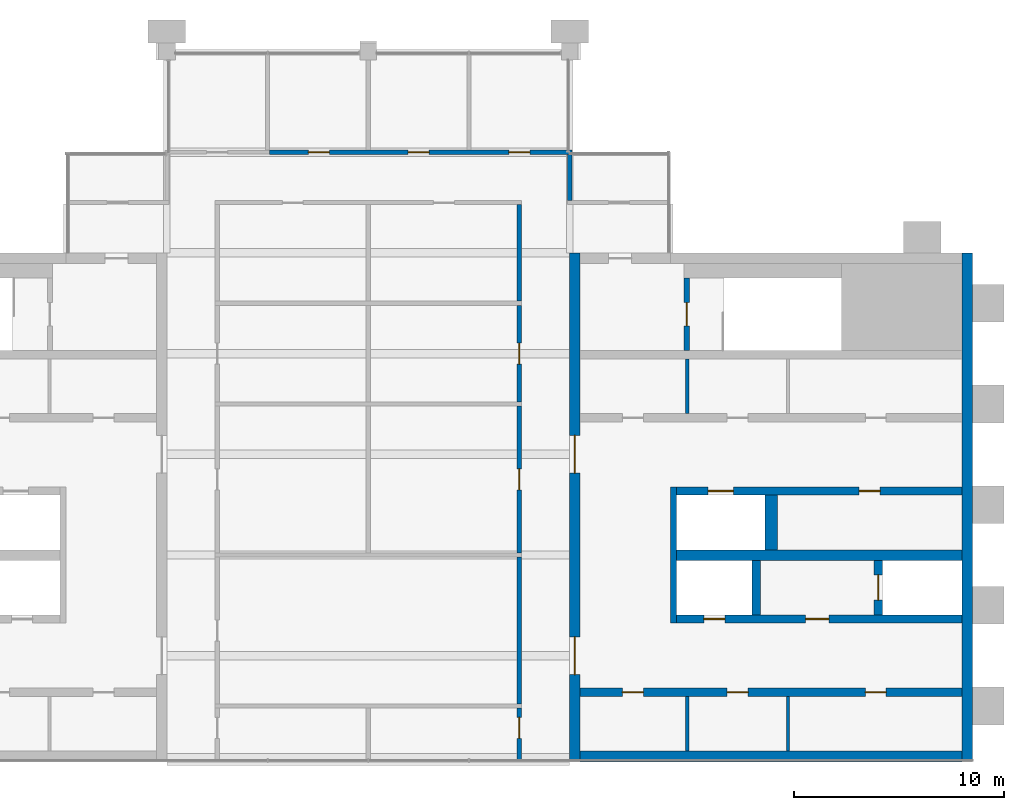
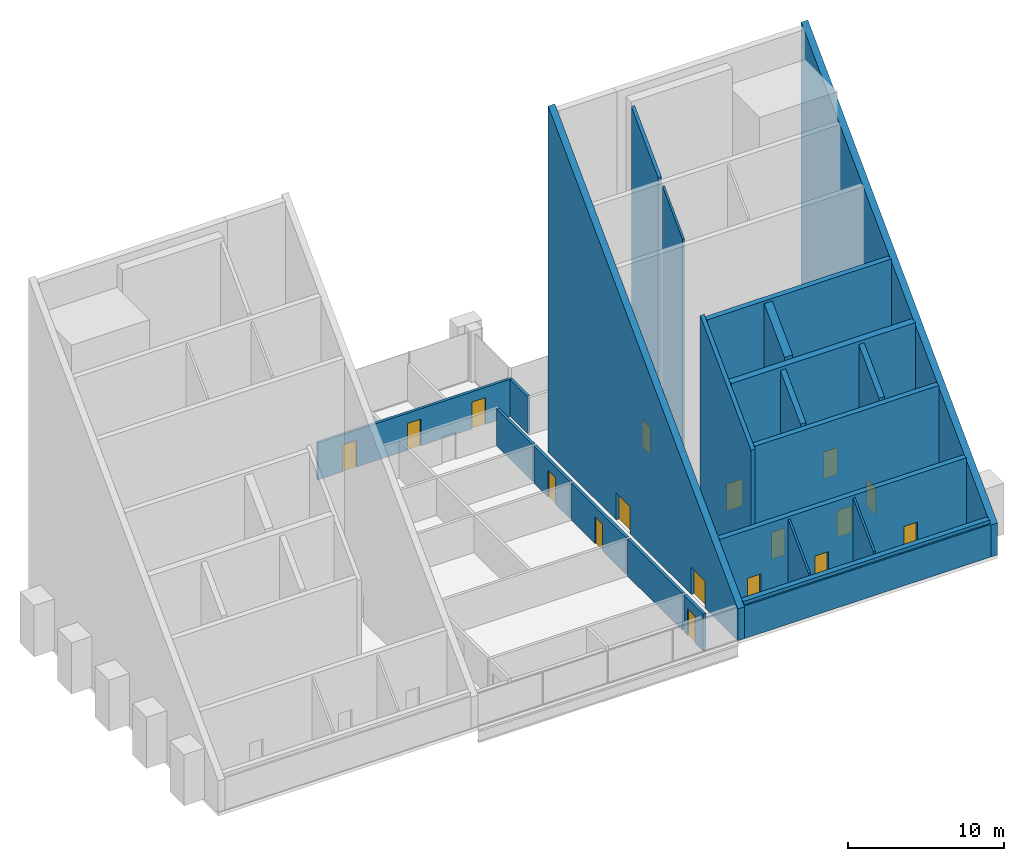
# One storey, part 10 of 12: 23 walls, 17 doors, 17 openings.
"""IFC4 building model written with IfcOpenShell, lengths in metres."""

from ifc_helpers import new_model, si_unit, direction, frame, frame_2d, origin, place, context, subcontext, project, spatial, polyline, rectangle, outline, extrude, material, layer, layer_set, type_object, element, fill, save


model = new_model("IFC4")

# Units and contexts
model_context = context("Model", 3, precision=1e-05, world=origin(), true_north=direction((0.0, 1.0)))
body_context = subcontext(model_context, "Body", "Model", "MODEL_VIEW")
ifc_project = project(units=[si_unit("LENGTHUNIT", "METRE"), si_unit("AREAUNIT", "SQUARE_METRE"), si_unit("VOLUMEUNIT", "CUBIC_METRE"), si_unit("PLANEANGLEUNIT", "RADIAN"), si_unit("MASSUNIT", "GRAM", prefix="KILO")], contexts=[model_context])

# Site, building, storey
site_placement = place(None, origin())
site = spatial("IfcSite", under=ifc_project, at=site_placement, CompositionType="ELEMENT")
building_placement = place(site_placement, origin())
building = spatial("IfcBuilding", under=site, at=building_placement, Name="Baori Bourse Tower", CompositionType="ELEMENT")
storey_placement = place(building_placement, frame((0.0, 0.0, 374.300048828125)))
storey = spatial("IfcBuildingStorey", under=building, at=storey_placement, Name="L84", CompositionType="ELEMENT", Elevation=374.300048828125)

# Walls
ifc_material_1 = material(Name="Blockwork partition", Category="masonry")
ifc_layer_1 = layer(ifc_material_1, 0.14990234375)
ifc_layer_set_1 = layer_set([ifc_layer_1], Name="Core partition 150")
wall_type_1 = type_object("IfcWallType", Name="Core partition 150", PredefinedType="PARTITIONING", material=ifc_layer_set_1)
for number, where, z_axis, x_axis, name in (
    (1, (48.800048828125, 14.64990234375, 0.0), (0.0, 0.0, 1.0), (0.0, 1.0, 0.0), "Partition wall E05"),
    (2, (44.0, 14.64990234375, 0.0), (0.0, 0.0, 1.0), (0.0, 1.0, 0.0), "Partition wall E06"),
):
    element("IfcWall", number, at=place(storey_placement, frame(where, z_axis=z_axis, x_axis=x_axis)), inside=storey, type_object=wall_type_1, Name=name, PredefinedType="PARTITIONING", context=body_context, shape_type="SweptSolid", body=[
        extrude(outline(polyline([(0.0, 0.0), (2.60009765625, 0.0), (2.60009765625, 5.653076171875), (0.0, 3.0205078125), (0.0, 0.0)])), frame((0.0, 0.074951171875, 0.0), z_axis=(0.0, -1.0, 0.0), x_axis=(1.0, 0.0, 0.0)), (0.0, 0.0, 1.0), 0.14990234375),
    ])
wall_1_placement = place(storey_placement, frame((44.0, 30.75, 0.0), z_axis=(0.0, 0.0, 1.0), x_axis=(0.0, 1.0, 0.0)))
element("IfcWall", 3, at=wall_1_placement, inside=storey, type_object=wall_type_1, Name="Partition wall E17", PredefinedType="PARTITIONING", context=body_context, shape_type="SweptSolid", body=[
    extrude(outline(polyline([(0.0, 0.0), (2.60009765625, 0.0), (2.60009765625, 21.954345703125), (0.0, 19.32177734375), (0.0, 0.0)])), frame((0.0, 0.074951171875, 0.0), z_axis=(0.0, -1.0, 0.0), x_axis=(1.0, 0.0, 0.0)), (0.0, 0.0, 1.0), 0.14990234375),
])
ifc_material_2 = material(Name="Concrete f'c 40 MPa", Category="concrete")
ifc_layer_2 = layer(ifc_material_2, 0.126953125)
ifc_layer_set_2 = layer_set([ifc_layer_2], Name="Core wall 127 f'c 40")
wall_type_2 = type_object("IfcWallType", Name="Core wall 127 f'c 40", PredefinedType="SHEAR", material=ifc_layer_set_2)
wall_2_placement = place(storey_placement, frame((57.10009765625, 14.186767578125, 0.0), z_axis=(0.0, 0.0, 1.0), x_axis=(-1.0, 0.0, 0.0)))
element("IfcWall", 4, at=wall_2_placement, inside=storey, type_object=wall_type_2, Name="Core wall E02", PredefinedType="SHEAR", context=body_context, shape_type="SweptSolid", body=[
    extrude(outline(polyline([(0.0, 0.0), (18.2001953125, 0.0), (18.199951171875, 2.551513671875), (0.0, 2.551513671875), (0.0, 0.0)])), frame((0.0, 0.063232421875, 0.0), z_axis=(0.0, -1.0, 0.0), x_axis=(1.0, 0.0, 0.0)), (0.0, 0.0, 1.0), 0.12646484375),
])
ifc_material_3 = material(Name="Concrete f'c 40 MPa", Category="concrete")
ifc_layer_3 = layer(ifc_material_3, 0.5)
ifc_layer_set_3 = layer_set([ifc_layer_3], Name="Core wall 500 f'c 40")
wall_type_3 = type_object("IfcWallType", Name="Core wall 500 f'c 40", PredefinedType="SHEAR", material=ifc_layer_set_3)
wall_3_placement = place(storey_placement, frame((57.35009765625, 38.39990234375, 0.0), z_axis=(0.0, 0.0, 1.0), x_axis=(0.0, -1.0, 0.0)))
element("IfcWall", 5, at=wall_3_placement, inside=storey, type_object=wall_type_3, Name="Core wall E01", PredefinedType="SHEAR", context=body_context, shape_type="SweptSolid", body=[
    extrude(outline(polyline([(0.0, 0.0), (24.2763671875, 0.0), (24.276611328125, 2.487548828125), (0.0, 27.0673828125), (0.0, 0.0)])), frame((0.0, 0.25, 0.0), z_axis=(0.0, -1.0, 0.0), x_axis=(1.0, 0.0, 0.0)), (0.0, 0.0, 1.0), 0.5),
])

# Wall, openings, doors
wall_4_placement = place(storey_placement, frame((38.64990234375, 14.12353515625, 0.0), z_axis=(0.0, 0.0, 1.0), x_axis=(0.0, 1.0, 0.0)))
wall_4 = element("IfcWall", 6, at=wall_4_placement, inside=storey, type_object=wall_type_3, Name="Core wall E03", PredefinedType="SHEAR", context=body_context, shape_type="SweptSolid", body=[
    extrude(outline(polyline([(0.0, 0.0), (24.2763671875, 0.0), (24.276611328125, 27.0673828125), (0.0, 2.487548828125), (0.0, 0.0)])), frame((0.0, 0.25, 0.0), z_axis=(0.0, -1.0, 0.0), x_axis=(1.0, 0.0, 0.0)), (0.0, 0.0, 1.0), 0.5),
])
opening_1_placement = place(wall_4_placement, frame((4.176513671875, 0.0, 0.0)))
opening_1 = element("IfcOpeningElement", 7, at=opening_1_placement, cuts=wall_4, Name="Opening L84-D205", PredefinedType="OPENING", context=body_context, shape_type="SweptSolid", body=[
    extrude(rectangle(XDim=1.800048828125, YDim=2.10009765625, at=frame_2d((0.89990234375, 1.050048828125))), frame((0.0, 0.260009765625, 0.0), z_axis=(0.0, -1.0, 0.0), x_axis=(1.0, 0.0, 0.0)), (0.0, 0.0, 1.0), 0.52001953125),
])
opening_2_placement = place(wall_4_placement, frame((13.776611328125, 0.0, 0.0)))
opening_2 = element("IfcOpeningElement", 8, at=opening_2_placement, cuts=wall_4, Name="Opening L84-D206", PredefinedType="OPENING", context=body_context, shape_type="SweptSolid", body=[
    extrude(rectangle(XDim=1.800048828125, YDim=2.10009765625, at=frame_2d((0.89990234375, 1.050048828125))), frame((0.0, 0.260009765625, 0.0), z_axis=(0.0, -1.0, 0.0), x_axis=(1.0, 0.0, 0.0)), (0.0, 0.0, 1.0), 0.52001953125),
])
ifc_material_4 = material(Name="Painted steel door", Category="steel")
door_type_1 = type_object("IfcDoorType", Name="Core lobby door 1800", OperationType="DOUBLE_DOOR_SINGLE_SWING", PredefinedType="DOOR", material=ifc_material_4)
door_1_placement = place(opening_1_placement, origin())
door_1 = element("IfcDoor", 9, at=door_1_placement, inside=storey, type_object=door_type_1, Name="Lobby door E L84", OperationType="DOUBLE_DOOR_SINGLE_SWING", OverallHeight=2.10009765625, OverallWidth=1.800048828125, PredefinedType="DOOR", context=body_context, shape_type="SweptSolid", body=[
    extrude(rectangle(XDim=1.800048828125, YDim=2.10009765625, at=frame_2d((0.89990234375, 1.050048828125))), frame((0.0, 0.02490234375, 0.0), z_axis=(0.0, -1.0, 0.0), x_axis=(1.0, 0.0, 0.0)), (0.0, 0.0, 1.0), 0.050048828125),
])
fill(opening_1, door_1)
door_2_placement = place(opening_2_placement, origin())
door_2 = element("IfcDoor", 10, at=door_2_placement, inside=storey, type_object=door_type_1, Name="Lobby door E L84", OperationType="DOUBLE_DOOR_SINGLE_SWING", OverallHeight=2.10009765625, OverallWidth=1.800048828125, PredefinedType="DOOR", context=body_context, shape_type="SweptSolid", body=[
    extrude(rectangle(XDim=1.800048828125, YDim=2.10009765625, at=frame_2d((0.89990234375, 1.050048828125))), frame((0.0, 0.02490234375, 0.0), z_axis=(0.0, -1.0, 0.0), x_axis=(1.0, 0.0, 0.0)), (0.0, 0.0, 1.0), 0.050048828125),
])
fill(opening_2, door_2)

ifc_material_5 = material(Name="Gypsum board partition")
ifc_layer_4 = layer(ifc_material_5, 0.199951171875)
ifc_layer_set_4 = layer_set([ifc_layer_4], Name="Plant room wall 200")
wall_type_4 = type_object("IfcWallType", Name="Plant room wall 200", PredefinedType="PARTITIONING", material=ifc_layer_set_4)
wall_5_placement = place(storey_placement, frame((24.10009765625, 43.199951171875, 0.0), z_axis=(0.0, 0.0, 1.0), x_axis=(1.0, 0.0, 0.0)))
wall_5 = element("IfcWall", 11, at=wall_5_placement, inside=storey, type_object=wall_type_4, Name="Partition", PredefinedType="PARTITIONING", context=body_context, shape_type="SweptSolid", body=[
    extrude(rectangle(XDim=14.39990234375, YDim=0.199951171875, at=frame_2d((7.199951171875, 0.0))), origin(), (0.0, 0.0, 1.0), 2.89990234375),
])
opening_3_placement = place(wall_5_placement, frame((1.85009765625, 0.0, 0.0)))
opening_3 = element("IfcOpeningElement", 12, at=opening_3_placement, cuts=wall_5, Name="Opening L84-D06", PredefinedType="OPENING", context=body_context, shape_type="SweptSolid", body=[
    extrude(rectangle(XDim=1.0, YDim=2.10009765625, at=frame_2d((0.5, 1.050048828125))), frame((0.0, 0.10986328125, 0.0), z_axis=(0.0, -1.0, 0.0), x_axis=(1.0, 0.0, 0.0)), (0.0, 0.0, 1.0), 0.219970703125),
])
opening_4_placement = place(wall_5_placement, frame((6.60009765625, 0.0, 0.0)))
opening_4 = element("IfcOpeningElement", 13, at=opening_4_placement, cuts=wall_5, Name="Opening L84-D07", PredefinedType="OPENING", context=body_context, shape_type="SweptSolid", body=[
    extrude(rectangle(XDim=1.0, YDim=2.10009765625, at=frame_2d((0.5, 1.050048828125))), frame((0.0, 0.10986328125, 0.0), z_axis=(0.0, -1.0, 0.0), x_axis=(1.0, 0.0, 0.0)), (0.0, 0.0, 1.0), 0.219970703125),
])
opening_5_placement = place(wall_5_placement, frame((11.39990234375, 0.0, 0.0)))
opening_5 = element("IfcOpeningElement", 14, at=opening_5_placement, cuts=wall_5, Name="Opening L84-D08", PredefinedType="OPENING", context=body_context, shape_type="SweptSolid", body=[
    extrude(rectangle(XDim=1.0, YDim=2.10009765625, at=frame_2d((0.5, 1.050048828125))), frame((0.0, 0.10986328125, 0.0), z_axis=(0.0, -1.0, 0.0), x_axis=(1.0, 0.0, 0.0)), (0.0, 0.0, 1.0), 0.219970703125),
])
ifc_material_6 = material(Name="Timber door leaf", Category="wood")
door_type_2 = type_object("IfcDoorType", Name="Door 1000 x 2100", OperationType="SINGLE_SWING_LEFT", PredefinedType="DOOR", material=ifc_material_6)
door_3_placement = place(opening_3_placement, origin())
door_3 = element("IfcDoor", 15, at=door_3_placement, inside=storey, type_object=door_type_2, Name="Door", OperationType="SINGLE_SWING_RIGHT", OverallHeight=2.10009765625, OverallWidth=1.0, PredefinedType="DOOR", context=body_context, shape_type="SweptSolid", body=[
    extrude(rectangle(XDim=1.0, YDim=2.10009765625, at=frame_2d((0.5, 1.050048828125))), frame((0.0, 0.02490234375, 0.0), z_axis=(0.0, -1.0, 0.0), x_axis=(1.0, 0.0, 0.0)), (0.0, 0.0, 1.0), 0.050048828125),
])
fill(opening_3, door_3)
door_4_placement = place(opening_4_placement, origin())
door_4 = element("IfcDoor", 16, at=door_4_placement, inside=storey, type_object=door_type_2, Name="Door", OperationType="SINGLE_SWING_RIGHT", OverallHeight=2.10009765625, OverallWidth=1.0, PredefinedType="DOOR", context=body_context, shape_type="SweptSolid", body=[
    extrude(rectangle(XDim=1.0, YDim=2.10009765625, at=frame_2d((0.5, 1.050048828125))), frame((0.0, 0.02490234375, 0.0), z_axis=(0.0, -1.0, 0.0), x_axis=(1.0, 0.0, 0.0)), (0.0, 0.0, 1.0), 0.050048828125),
])
fill(opening_4, door_4)
door_5_placement = place(opening_5_placement, origin())
door_5 = element("IfcDoor", 17, at=door_5_placement, inside=storey, type_object=door_type_2, Name="Door", OperationType="SINGLE_SWING_LEFT", OverallHeight=2.10009765625, OverallWidth=1.0, PredefinedType="DOOR", context=body_context, shape_type="SweptSolid", body=[
    extrude(rectangle(XDim=1.0, YDim=2.10009765625, at=frame_2d((0.5, 1.050048828125))), frame((0.0, 0.02490234375, 0.0), z_axis=(0.0, -1.0, 0.0), x_axis=(1.0, 0.0, 0.0)), (0.0, 0.0, 1.0), 0.050048828125),
])
fill(opening_5, door_5)

# Wall, opening, door
wall_6_placement = place(storey_placement, frame((36.0, 14.223388671875, 0.0), z_axis=(0.0, 0.0, 1.0), x_axis=(0.0, 1.0, 0.0)))
wall_6 = element("IfcWall", 18, at=wall_6_placement, inside=storey, type_object=wall_type_4, Name="Partition", PredefinedType="PARTITIONING", context=body_context, shape_type="SweptSolid", body=[
    extrude(rectangle(XDim=2.4765625, YDim=0.199951171875, at=frame_2d((1.23828125, 0.0))), origin(), (0.0, 0.0, 1.0), 2.89990234375),
])
opening_6_placement = place(wall_6_placement, frame((1.038330078125, 0.0, 0.0)))
opening_6 = element("IfcOpeningElement", 19, at=opening_6_placement, cuts=wall_6, Name="Opening L84-D13", PredefinedType="OPENING", context=body_context, shape_type="SweptSolid", body=[
    extrude(rectangle(XDim=1.0, YDim=2.10009765625, at=frame_2d((0.5, 1.050048828125))), frame((0.0, 0.10986328125, 0.0), z_axis=(0.0, -1.0, 0.0), x_axis=(1.0, 0.0, 0.0)), (0.0, 0.0, 1.0), 0.219970703125),
])
door_6_placement = place(opening_6_placement, origin())
door_6 = element("IfcDoor", 20, at=door_6_placement, inside=storey, type_object=door_type_2, Name="Door", OperationType="SINGLE_SWING_LEFT", OverallHeight=2.10009765625, OverallWidth=1.0, PredefinedType="DOOR", context=body_context, shape_type="SweptSolid", body=[
    extrude(rectangle(XDim=1.0, YDim=2.10009765625, at=frame_2d((0.5, 1.050048828125))), frame((0.0, 0.02490234375, 0.0), z_axis=(0.0, -1.0, 0.0), x_axis=(1.0, 0.0, 0.0)), (0.0, 0.0, 1.0), 0.050048828125),
])
fill(opening_6, door_6)

# Wall
wall_7_placement = place(storey_placement, frame((36.0, 16.89990234375, 0.0), z_axis=(0.0, 0.0, 1.0), x_axis=(0.0, 1.0, 0.0)))
element("IfcWall", 21, at=wall_7_placement, inside=storey, type_object=wall_type_4, Name="Partition", PredefinedType="PARTITIONING", context=body_context, shape_type="SweptSolid", body=[
    extrude(rectangle(XDim=7.0, YDim=0.199951171875, at=frame_2d((3.5, 0.0))), origin(), (0.0, 0.0, 1.0), 2.89990234375),
])

# Wall, opening, door
wall_8_placement = place(storey_placement, frame((36.0, 24.10009765625, 0.0), z_axis=(0.0, 0.0, 1.0), x_axis=(0.0, 1.0, 0.0)))
wall_8 = element("IfcWall", 22, at=wall_8_placement, inside=storey, type_object=wall_type_4, Name="Partition", PredefinedType="PARTITIONING", context=body_context, shape_type="SweptSolid", body=[
    extrude(rectangle(XDim=7.0, YDim=0.199951171875, at=frame_2d((3.5, 0.0))), origin(), (0.0, 0.0, 1.0), 2.89990234375),
])
opening_7_placement = place(wall_8_placement, frame((3.0, 0.0, 0.0)))
opening_7 = element("IfcOpeningElement", 23, at=opening_7_placement, cuts=wall_8, Name="Opening L84-D14", PredefinedType="OPENING", context=body_context, shape_type="SweptSolid", body=[
    extrude(rectangle(XDim=1.0, YDim=2.10009765625, at=frame_2d((0.5, 1.050048828125))), frame((0.0, 0.10986328125, 0.0), z_axis=(0.0, -1.0, 0.0), x_axis=(1.0, 0.0, 0.0)), (0.0, 0.0, 1.0), 0.219970703125),
])
door_7_placement = place(opening_7_placement, origin())
door_7 = element("IfcDoor", 24, at=door_7_placement, inside=storey, type_object=door_type_2, Name="Door", OperationType="SINGLE_SWING_RIGHT", OverallHeight=2.10009765625, OverallWidth=1.0, PredefinedType="DOOR", context=body_context, shape_type="SweptSolid", body=[
    extrude(rectangle(XDim=1.0, YDim=2.10009765625, at=frame_2d((0.5, 1.050048828125))), frame((0.0, 0.02490234375, 0.0), z_axis=(0.0, -1.0, 0.0), x_axis=(1.0, 0.0, 0.0)), (0.0, 0.0, 1.0), 0.050048828125),
])
fill(opening_7, door_7)

wall_9_placement = place(storey_placement, frame((36.0, 31.300048828125, 0.0), z_axis=(0.0, 0.0, 1.0), x_axis=(0.0, 1.0, 0.0)))
wall_9 = element("IfcWall", 25, at=wall_9_placement, inside=storey, type_object=wall_type_4, Name="Partition", PredefinedType="PARTITIONING", context=body_context, shape_type="SweptSolid", body=[
    extrude(rectangle(XDim=4.599853515625, YDim=0.199951171875, at=frame_2d((2.2998046875, 0.0))), origin(), (0.0, 0.0, 1.0), 2.89990234375),
])
opening_8_placement = place(wall_9_placement, frame((1.800048828125, 0.0, 0.0)))
opening_8 = element("IfcOpeningElement", 26, at=opening_8_placement, cuts=wall_9, Name="Opening L84-D15", PredefinedType="OPENING", context=body_context, shape_type="SweptSolid", body=[
    extrude(rectangle(XDim=1.0, YDim=2.10009765625, at=frame_2d((0.5, 1.050048828125))), frame((0.0, 0.10986328125, 0.0), z_axis=(0.0, -1.0, 0.0), x_axis=(1.0, 0.0, 0.0)), (0.0, 0.0, 1.0), 0.219970703125),
])
door_8_placement = place(opening_8_placement, origin())
door_8 = element("IfcDoor", 27, at=door_8_placement, inside=storey, type_object=door_type_2, Name="Door", OperationType="SINGLE_SWING_LEFT", OverallHeight=2.10009765625, OverallWidth=1.0, PredefinedType="DOOR", context=body_context, shape_type="SweptSolid", body=[
    extrude(rectangle(XDim=1.0, YDim=2.10009765625, at=frame_2d((0.5, 1.050048828125))), frame((0.0, 0.02490234375, 0.0), z_axis=(0.0, -1.0, 0.0), x_axis=(1.0, 0.0, 0.0)), (0.0, 0.0, 1.0), 0.050048828125),
])
fill(opening_8, door_8)

# Walls
wall_10_placement = place(storey_placement, frame((36.0, 36.10009765625, 0.0), z_axis=(0.0, 0.0, 1.0), x_axis=(0.0, 1.0, 0.0)))
element("IfcWall", 28, at=wall_10_placement, inside=storey, type_object=wall_type_4, Name="Partition", PredefinedType="PARTITIONING", context=body_context, shape_type="SweptSolid", body=[
    extrude(rectangle(XDim=4.599853515625, YDim=0.199951171875, at=frame_2d((2.2998046875, 0.0))), origin(), (0.0, 0.0, 1.0), 2.89990234375),
])
wall_11_placement = place(storey_placement, frame((38.39990234375, 40.89990234375, 0.0), z_axis=(0.0, 0.0, 1.0), x_axis=(0.0, 1.0, 0.0)))
element("IfcWall", 29, at=wall_11_placement, inside=storey, type_object=wall_type_4, Name="Partition", PredefinedType="PARTITIONING", context=body_context, shape_type="SweptSolid", body=[
    extrude(rectangle(XDim=2.2001953125, YDim=0.199951171875, at=frame_2d((1.10009765625, 0.0))), origin(), (0.0, 0.0, 1.0), 2.89990234375),
])

# Wall, opening, door
ifc_material_7 = material(Name="Concrete f'c 40 MPa", Category="concrete")
ifc_layer_5 = layer(ifc_material_7, 0.25)
ifc_layer_set_5 = layer_set([ifc_layer_5], Name="Shaft wall 250 f'c 40")
wall_type_5 = type_object("IfcWallType", Name="Shaft wall 250 f'c 40", PredefinedType="SHEAR", material=ifc_layer_set_5)
wall_12_placement = place(storey_placement, frame((43.97509765625, 33.75, 0.0), z_axis=(0.0, 0.0, 1.0), x_axis=(0.0, 1.0, 0.0)))
wall_12 = element("IfcWall", 30, at=wall_12_placement, inside=storey, type_object=wall_type_5, Name="Core wall E20", PredefinedType="SHEAR", context=body_context, shape_type="SweptSolid", body=[
    extrude(outline(polyline([(0.0, 0.0), (3.449951171875, 0.0), (3.449951171875, 25.8525390625), (0.0, 22.359375), (0.0, 0.0)])), frame((0.0, 0.125, 0.0), z_axis=(0.0, -1.0, 0.0), x_axis=(1.0, 0.0, 0.0)), (0.0, 0.0, 1.0), 0.25),
])
opening_9_placement = place(wall_12_placement, frame((1.175048828125, 0.0, 0.0)))
opening_9 = element("IfcOpeningElement", 31, at=opening_9_placement, cuts=wall_12, Name="Opening L84-D201", PredefinedType="OPENING", context=body_context, shape_type="SweptSolid", body=[
    extrude(rectangle(XDim=1.10009765625, YDim=2.10009765625, at=frame_2d((0.550048828125, 1.050048828125))), frame((0.0, 0.135009765625, 0.0), z_axis=(0.0, -1.0, 0.0), x_axis=(1.0, 0.0, 0.0)), (0.0, 0.0, 1.0), 0.27001953125),
])
ifc_material_8 = material(Name="Painted steel door", Category="steel")
door_type_3 = type_object("IfcDoorType", Name="Stair door 1100", OperationType="SINGLE_SWING_LEFT", PredefinedType="DOOR", material=ifc_material_8)
door_9_placement = place(opening_9_placement, origin())
door_9 = element("IfcDoor", 32, at=door_9_placement, inside=storey, type_object=door_type_3, Name="Stair door B E L84", OperationType="SINGLE_SWING_LEFT", OverallHeight=2.10009765625, OverallWidth=1.10009765625, PredefinedType="DOOR", context=body_context, shape_type="SweptSolid", body=[
    extrude(rectangle(XDim=1.10009765625, YDim=2.10009765625, at=frame_2d((0.550048828125, 1.050048828125))), frame((0.0, 0.02490234375, 0.0), z_axis=(0.0, -1.0, 0.0), x_axis=(1.0, 0.0, 0.0)), (0.0, 0.0, 1.0), 0.050048828125),
])
fill(opening_9, door_9)

# Walls
ifc_material_9 = material(Name="Concrete f'c 40 MPa", Category="concrete")
ifc_layer_6 = layer(ifc_material_9, 0.300048828125)
ifc_layer_set_6 = layer_set([ifc_layer_6], Name="Shaft wall 300 f'c 40")
wall_type_6 = type_object("IfcWallType", Name="Shaft wall 300 f'c 40", PredefinedType="SHEAR", material=ifc_layer_set_6)
wall_13_placement = place(storey_placement, frame((43.35009765625, 20.75, 0.0), z_axis=(0.0, 0.0, 1.0), x_axis=(0.0, 1.0, 0.0)))
element("IfcWall", 33, at=wall_13_placement, inside=storey, type_object=wall_type_6, Name="Core wall E09", PredefinedType="SHEAR", context=body_context, shape_type="SweptSolid", body=[
    extrude(outline(polyline([(0.0, 0.0), (6.5, 0.0), (6.5, 15.778076171875), (0.0, 9.19677734375), (0.0, 0.0)])), frame((0.0, 0.14990234375, 0.0), z_axis=(0.0, -1.0, 0.0), x_axis=(1.0, 0.0, 0.0)), (0.0, 0.0, 1.0), 0.300048828125),
])
ifc_material_10 = material(Name="Concrete f'c 40 MPa", Category="concrete")
ifc_layer_7 = layer(ifc_material_10, 0.39990234375)
ifc_layer_set_7 = layer_set([ifc_layer_7], Name="Shaft wall 400 f'c 40")
wall_type_7 = type_object("IfcWallType", Name="Shaft wall 400 f'c 40", PredefinedType="SHEAR", material=ifc_layer_set_7)
wall_14_placement = place(storey_placement, frame((38.89990234375, 14.449951171875, 0.0), z_axis=(0.0, 0.0, 1.0), x_axis=(1.0, 0.0, 0.0)))
element("IfcWall", 34, at=wall_14_placement, inside=storey, type_object=wall_type_7, Name="Core wall E04", PredefinedType="SHEAR", context=body_context, shape_type="SweptSolid", body=[
    extrude(outline(polyline([(0.0, 0.0), (18.2001953125, 0.0), (18.199951171875, 2.818115234375), (0.0, 2.818115234375), (0.0, 0.0)])), frame((0.0, 0.199951171875, 0.0), z_axis=(0.0, -1.0, 0.0), x_axis=(1.0, 0.0, 0.0)), (0.0, 0.0, 1.0), 0.39990234375),
])

# Wall, openings, doors
wall_15_placement = place(storey_placement, frame((38.89990234375, 17.449951171875, 0.0), z_axis=(0.0, 0.0, 1.0), x_axis=(1.0, 0.0, 0.0)))
wall_15 = element("IfcWall", 35, at=wall_15_placement, inside=storey, type_object=wall_type_7, Name="Core wall E07", PredefinedType="SHEAR", context=body_context, shape_type="SweptSolid", body=[
    extrude(outline(polyline([(0.0, 0.0), (18.2001953125, 0.0), (18.199951171875, 5.85546875), (0.0, 5.85546875), (0.0, 0.0)])), frame((0.0, 0.199951171875, 0.0), z_axis=(0.0, -1.0, 0.0), x_axis=(1.0, 0.0, 0.0)), (0.0, 0.0, 1.0), 0.39990234375),
])
opening_10_placement = place(wall_15_placement, frame((13.58740234375, 0.0, 0.0)))
opening_10 = element("IfcOpeningElement", 36, at=opening_10_placement, cuts=wall_15, Name="Opening L84-D210", PredefinedType="OPENING", context=body_context, shape_type="SweptSolid", body=[
    extrude(rectangle(XDim=1.0, YDim=2.10009765625, at=frame_2d((0.5, 1.050048828125))), frame((0.0, 0.2099609375, 0.0), z_axis=(0.0, -1.0, 0.0), x_axis=(1.0, 0.0, 0.0)), (0.0, 0.0, 1.0), 0.419921875),
])
opening_11_placement = place(wall_15_placement, frame((7.0, 0.0, 0.0)))
opening_11 = element("IfcOpeningElement", 37, at=opening_11_placement, cuts=wall_15, Name="Opening L84-D211", PredefinedType="OPENING", context=body_context, shape_type="SweptSolid", body=[
    extrude(rectangle(XDim=1.0, YDim=2.10009765625, at=frame_2d((0.5, 1.050048828125))), frame((0.0, 0.2099609375, 0.0), z_axis=(0.0, -1.0, 0.0), x_axis=(1.0, 0.0, 0.0)), (0.0, 0.0, 1.0), 0.419921875),
])
opening_12_placement = place(wall_15_placement, frame((2.012451171875, 0.0, 0.0)))
opening_12 = element("IfcOpeningElement", 38, at=opening_12_placement, cuts=wall_15, Name="Opening L84-D212", PredefinedType="OPENING", context=body_context, shape_type="SweptSolid", body=[
    extrude(rectangle(XDim=1.0, YDim=2.10009765625, at=frame_2d((0.5, 1.050048828125))), frame((0.0, 0.2099609375, 0.0), z_axis=(0.0, -1.0, 0.0), x_axis=(1.0, 0.0, 0.0)), (0.0, 0.0, 1.0), 0.419921875),
])
ifc_material_11 = material(Name="Painted steel door", Category="steel")
door_type_4 = type_object("IfcDoorType", Name="Plant room door 1000", OperationType="SINGLE_SWING_LEFT", PredefinedType="DOOR", material=ifc_material_11)
door_10_placement = place(opening_10_placement, origin())
door_10 = element("IfcDoor", 39, at=door_10_placement, inside=storey, type_object=door_type_4, Name="Air Handling Fan Room door E L84", OperationType="SINGLE_SWING_LEFT", OverallHeight=2.10009765625, OverallWidth=1.0, PredefinedType="DOOR", context=body_context, shape_type="SweptSolid", body=[
    extrude(rectangle(XDim=1.0, YDim=2.10009765625, at=frame_2d((0.5, 1.050048828125))), frame((0.0, 0.02490234375, 0.0), z_axis=(0.0, -1.0, 0.0), x_axis=(1.0, 0.0, 0.0)), (0.0, 0.0, 1.0), 0.050048828125),
])
fill(opening_10, door_10)
door_11_placement = place(opening_11_placement, origin())
door_11 = element("IfcDoor", 40, at=door_11_placement, inside=storey, type_object=door_type_4, Name="Electrical Room door E L84", OperationType="SINGLE_SWING_LEFT", OverallHeight=2.10009765625, OverallWidth=1.0, PredefinedType="DOOR", context=body_context, shape_type="SweptSolid", body=[
    extrude(rectangle(XDim=1.0, YDim=2.10009765625, at=frame_2d((0.5, 1.050048828125))), frame((0.0, 0.02490234375, 0.0), z_axis=(0.0, -1.0, 0.0), x_axis=(1.0, 0.0, 0.0)), (0.0, 0.0, 1.0), 0.050048828125),
])
fill(opening_11, door_11)
door_12_placement = place(opening_12_placement, origin())
door_12 = element("IfcDoor", 41, at=door_12_placement, inside=storey, type_object=door_type_4, Name="Mechanical Room door E L84", OperationType="SINGLE_SWING_LEFT", OverallHeight=2.10009765625, OverallWidth=1.0, PredefinedType="DOOR", context=body_context, shape_type="SweptSolid", body=[
    extrude(rectangle(XDim=1.0, YDim=2.10009765625, at=frame_2d((0.5, 1.050048828125))), frame((0.0, 0.02490234375, 0.0), z_axis=(0.0, -1.0, 0.0), x_axis=(1.0, 0.0, 0.0)), (0.0, 0.0, 1.0), 0.050048828125),
])
fill(opening_12, door_12)

wall_16_placement = place(storey_placement, frame((43.5, 20.949951171875, 0.0), z_axis=(0.0, 0.0, 1.0), x_axis=(1.0, 0.0, 0.0)))
wall_16 = element("IfcWall", 42, at=wall_16_placement, inside=storey, type_object=wall_type_7, Name="Core wall E08", PredefinedType="SHEAR", context=body_context, shape_type="SweptSolid", body=[
    extrude(outline(polyline([(0.0, 0.0), (13.60009765625, 0.0), (13.60009765625, 9.3994140625), (0.0, 9.3994140625), (0.0, 0.0)])), frame((0.0, 0.199951171875, 0.0), z_axis=(0.0, -1.0, 0.0), x_axis=(1.0, 0.0, 0.0)), (0.0, 0.0, 1.0), 0.39990234375),
])
opening_13_placement = place(wall_16_placement, frame((6.14990234375, 0.0, 0.0)))
opening_13 = element("IfcOpeningElement", 43, at=opening_13_placement, cuts=wall_16, Name="Opening L84-D203", PredefinedType="OPENING", context=body_context, shape_type="SweptSolid", body=[
    extrude(rectangle(XDim=1.10009765625, YDim=2.10009765625, at=frame_2d((0.550048828125, 1.050048828125))), frame((0.0, 0.2099609375, 0.0), z_axis=(0.0, -1.0, 0.0), x_axis=(1.0, 0.0, 0.0)), (0.0, 0.0, 1.0), 0.419921875),
])
opening_14_placement = place(wall_16_placement, frame((1.300048828125, 0.0, 0.0)))
opening_14 = element("IfcOpeningElement", 44, at=opening_14_placement, cuts=wall_16, Name="Opening L84-D204", PredefinedType="OPENING", context=body_context, shape_type="SweptSolid", body=[
    extrude(rectangle(XDim=1.0, YDim=2.10009765625, at=frame_2d((0.5, 1.050048828125))), frame((0.0, 0.2099609375, 0.0), z_axis=(0.0, -1.0, 0.0), x_axis=(1.0, 0.0, 0.0)), (0.0, 0.0, 1.0), 0.419921875),
])
ifc_material_12 = material(Name="Painted steel door", Category="steel")
door_type_5 = type_object("IfcDoorType", Name="Lobby door 1100", OperationType="SINGLE_SWING_LEFT", PredefinedType="DOOR", material=ifc_material_12)
door_13_placement = place(opening_13_placement, origin())
door_13 = element("IfcDoor", 45, at=door_13_placement, inside=storey, type_object=door_type_5, Name="Firefighting lobby door E L84", OperationType="SINGLE_SWING_LEFT", OverallHeight=2.10009765625, OverallWidth=1.10009765625, PredefinedType="DOOR", context=body_context, shape_type="SweptSolid", body=[
    extrude(rectangle(XDim=1.10009765625, YDim=2.10009765625, at=frame_2d((0.550048828125, 1.050048828125))), frame((0.0, 0.02490234375, 0.0), z_axis=(0.0, -1.0, 0.0), x_axis=(1.0, 0.0, 0.0)), (0.0, 0.0, 1.0), 0.050048828125),
])
fill(opening_13, door_13)
ifc_material_13 = material(Name="Painted steel door", Category="steel")
door_type_6 = type_object("IfcDoorType", Name="Shaft door 1000", OperationType="SINGLE_SWING_LEFT", PredefinedType="DOOR", material=ifc_material_13)
door_14_placement = place(opening_14_placement, origin())
door_14 = element("IfcDoor", 46, at=door_14_placement, inside=storey, type_object=door_type_6, Name="Riser room door E L84", OperationType="SINGLE_SWING_LEFT", OverallHeight=2.10009765625, OverallWidth=1.0, PredefinedType="DOOR", context=body_context, shape_type="SweptSolid", body=[
    extrude(rectangle(XDim=1.0, YDim=2.10009765625, at=frame_2d((0.5, 1.050048828125))), frame((0.0, 0.02490234375, 0.0), z_axis=(0.0, -1.0, 0.0), x_axis=(1.0, 0.0, 0.0)), (0.0, 0.0, 1.0), 0.050048828125),
])
fill(opening_14, door_14)

# Wall, opening, door
wall_17_placement = place(storey_placement, frame((53.10009765625, 21.14990234375, 0.0), z_axis=(0.0, 0.0, 1.0), x_axis=(0.0, 1.0, 0.0)))
wall_17 = element("IfcWall", 47, at=wall_17_placement, inside=storey, type_object=wall_type_7, Name="Core wall E10", PredefinedType="SHEAR", context=body_context, shape_type="SweptSolid", body=[
    extrude(outline(polyline([(0.0, 0.0), (2.60009765625, 0.0), (2.60009765625, 12.234375), (0.0, 9.601806640625), (0.0, 0.0)])), frame((0.0, 0.199951171875, 0.0), z_axis=(0.0, -1.0, 0.0), x_axis=(1.0, 0.0, 0.0)), (0.0, 0.0, 1.0), 0.39990234375),
])
opening_15_placement = place(wall_17_placement, frame((0.699951171875, 0.0, 0.0)))
opening_15 = element("IfcOpeningElement", 48, at=opening_15_placement, cuts=wall_17, Name="Opening L84-D215", PredefinedType="OPENING", context=body_context, shape_type="SweptSolid", body=[
    extrude(rectangle(XDim=1.199951171875, YDim=2.10009765625, at=frame_2d((0.60009765625, 1.050048828125))), frame((0.0, 0.2099609375, 0.0), z_axis=(0.0, -1.0, 0.0), x_axis=(1.0, 0.0, 0.0)), (0.0, 0.0, 1.0), 0.419921875),
])
ifc_material_14 = material(Name="Stainless steel door", Category="steel")
door_type_7 = type_object("IfcDoorType", Name="Lift landing door", OperationType="DOUBLE_DOOR_SLIDING", PredefinedType="DOOR", material=ifc_material_14)
door_15_placement = place(opening_15_placement, origin())
door_15 = element("IfcDoor", 49, at=door_15_placement, inside=storey, type_object=door_type_7, Name="Lift landing door FF2 E L84", OperationType="DOUBLE_DOOR_SLIDING", OverallHeight=2.10009765625, OverallWidth=1.199951171875, PredefinedType="DOOR", context=body_context, shape_type="SweptSolid", body=[
    extrude(rectangle(XDim=1.199951171875, YDim=2.10009765625, at=frame_2d((0.60009765625, 1.050048828125))), frame((0.0, 0.02490234375, 0.0), z_axis=(0.0, -1.0, 0.0), x_axis=(1.0, 0.0, 0.0)), (0.0, 0.0, 1.0), 0.050048828125),
])
fill(opening_15, door_15)

# Wall
wall_18_placement = place(storey_placement, frame((47.300048828125, 21.14990234375, 0.0), z_axis=(0.0, 0.0, 1.0), x_axis=(0.0, 1.0, 0.0)))
element("IfcWall", 50, at=wall_18_placement, inside=storey, type_object=wall_type_7, Name="Core wall E11", PredefinedType="SHEAR", context=body_context, shape_type="SweptSolid", body=[
    extrude(outline(polyline([(0.0, 0.0), (2.60009765625, 0.0), (2.60009765625, 12.234375), (0.0, 9.601806640625), (0.0, 0.0)])), frame((0.0, 0.199951171875, 0.0), z_axis=(0.0, -1.0, 0.0), x_axis=(1.0, 0.0, 0.0)), (0.0, 0.0, 1.0), 0.39990234375),
])

# Wall, openings, doors
wall_19_placement = place(storey_placement, frame((43.5, 27.050048828125, 0.0), z_axis=(0.0, 0.0, 1.0), x_axis=(1.0, 0.0, 0.0)))
wall_19 = element("IfcWall", 51, at=wall_19_placement, inside=storey, type_object=wall_type_7, Name="Core wall E14", PredefinedType="SHEAR", context=body_context, shape_type="SweptSolid", body=[
    extrude(outline(polyline([(0.0, 0.0), (13.60009765625, 0.0), (13.60009765625, 15.57568359375), (0.0, 15.57568359375), (0.0, 0.0)])), frame((0.0, 0.199951171875, 0.0), z_axis=(0.0, -1.0, 0.0), x_axis=(1.0, 0.0, 0.0)), (0.0, 0.0, 1.0), 0.39990234375),
])
opening_16_placement = place(wall_19_placement, frame((8.699951171875, 0.0, 0.0)))
opening_16 = element("IfcOpeningElement", 52, at=opening_16_placement, cuts=wall_19, Name="Opening L84-D213", PredefinedType="OPENING", context=body_context, shape_type="SweptSolid", body=[
    extrude(rectangle(XDim=1.0, YDim=2.10009765625, at=frame_2d((0.5, 1.050048828125))), frame((0.0, 0.2099609375, 0.0), z_axis=(0.0, -1.0, 0.0), x_axis=(1.0, 0.0, 0.0)), (0.0, 0.0, 1.0), 0.419921875),
])
opening_17_placement = place(wall_19_placement, frame((1.5, 0.0, 0.0)))
opening_17 = element("IfcOpeningElement", 53, at=opening_17_placement, cuts=wall_19, Name="Opening L84-D214", PredefinedType="OPENING", context=body_context, shape_type="SweptSolid", body=[
    extrude(rectangle(XDim=1.199951171875, YDim=2.10009765625, at=frame_2d((0.60009765625, 1.050048828125))), frame((0.0, 0.2099609375, 0.0), z_axis=(0.0, -1.0, 0.0), x_axis=(1.0, 0.0, 0.0)), (0.0, 0.0, 1.0), 0.419921875),
])
door_16_placement = place(opening_17_placement, origin())
door_16 = element("IfcDoor", 54, at=door_16_placement, inside=storey, type_object=door_type_7, Name="Lift landing door SV1 E L84", OperationType="DOUBLE_DOOR_SLIDING", OverallHeight=2.10009765625, OverallWidth=1.199951171875, PredefinedType="DOOR", context=body_context, shape_type="SweptSolid", body=[
    extrude(rectangle(XDim=1.199951171875, YDim=2.10009765625, at=frame_2d((0.60009765625, 1.050048828125))), frame((0.0, 0.02490234375, 0.0), z_axis=(0.0, -1.0, 0.0), x_axis=(1.0, 0.0, 0.0)), (0.0, 0.0, 1.0), 0.050048828125),
])
fill(opening_17, door_16)
door_17_placement = place(opening_16_placement, origin())
door_17 = element("IfcDoor", 55, at=door_17_placement, inside=storey, type_object=door_type_4, Name="Plant Room door E L84", OperationType="SINGLE_SWING_LEFT", OverallHeight=2.10009765625, OverallWidth=1.0, PredefinedType="DOOR", context=body_context, shape_type="SweptSolid", body=[
    extrude(rectangle(XDim=1.0, YDim=2.10009765625, at=frame_2d((0.5, 1.050048828125))), frame((0.0, 0.02490234375, 0.0), z_axis=(0.0, -1.0, 0.0), x_axis=(1.0, 0.0, 0.0)), (0.0, 0.0, 1.0), 0.050048828125),
])
fill(opening_16, door_17)

# Walls
ifc_material_15 = material(Name="Concrete f'c 40 MPa", Category="concrete")
ifc_layer_8 = layer(ifc_material_15, 0.5)
ifc_layer_set_8 = layer_set([ifc_layer_8], Name="Shaft wall 500 f'c 40")
wall_type_8 = type_object("IfcWallType", Name="Shaft wall 500 f'c 40", PredefinedType="SHEAR", material=ifc_layer_set_8)
wall_20_placement = place(storey_placement, frame((43.5, 24.0, 0.0), z_axis=(0.0, 0.0, 1.0), x_axis=(1.0, 0.0, 0.0)))
element("IfcWall", 56, at=wall_20_placement, inside=storey, type_object=wall_type_8, Name="Core wall E12", PredefinedType="SHEAR", context=body_context, shape_type="SweptSolid", body=[
    extrude(outline(polyline([(0.0, 0.0), (13.60009765625, 0.0), (13.60009765625, 12.487548828125), (0.0, 12.487548828125), (0.0, 0.0)])), frame((0.0, 0.25, 0.0), z_axis=(0.0, -1.0, 0.0), x_axis=(1.0, 0.0, 0.0)), (0.0, 0.0, 1.0), 0.5),
])
ifc_material_16 = material(Name="Concrete f'c 40 MPa", Category="concrete")
ifc_layer_9 = layer(ifc_material_16, 0.60009765625)
ifc_layer_set_9 = layer_set([ifc_layer_9], Name="Shaft wall 600 f'c 40")
wall_type_9 = type_object("IfcWallType", Name="Shaft wall 600 f'c 40", PredefinedType="SHEAR", material=ifc_layer_set_9)
wall_21_placement = place(storey_placement, frame((48.0, 24.25, 0.0), z_axis=(0.0, 0.0, 1.0), x_axis=(0.0, 1.0, 0.0)))
element("IfcWall", 57, at=wall_21_placement, inside=storey, type_object=wall_type_9, Name="Core wall E13", PredefinedType="SHEAR", context=body_context, shape_type="SweptSolid", body=[
    extrude(outline(polyline([(0.0, 0.0), (2.60009765625, 0.0), (2.60009765625, 15.373046875), (0.0, 12.740478515625), (0.0, 0.0)])), frame((0.0, 0.300048828125, 0.0), z_axis=(0.0, -1.0, 0.0), x_axis=(1.0, 0.0, 0.0)), (0.0, 0.0, 1.0), 0.60009765625),
])

save(model, "model.ifc")
